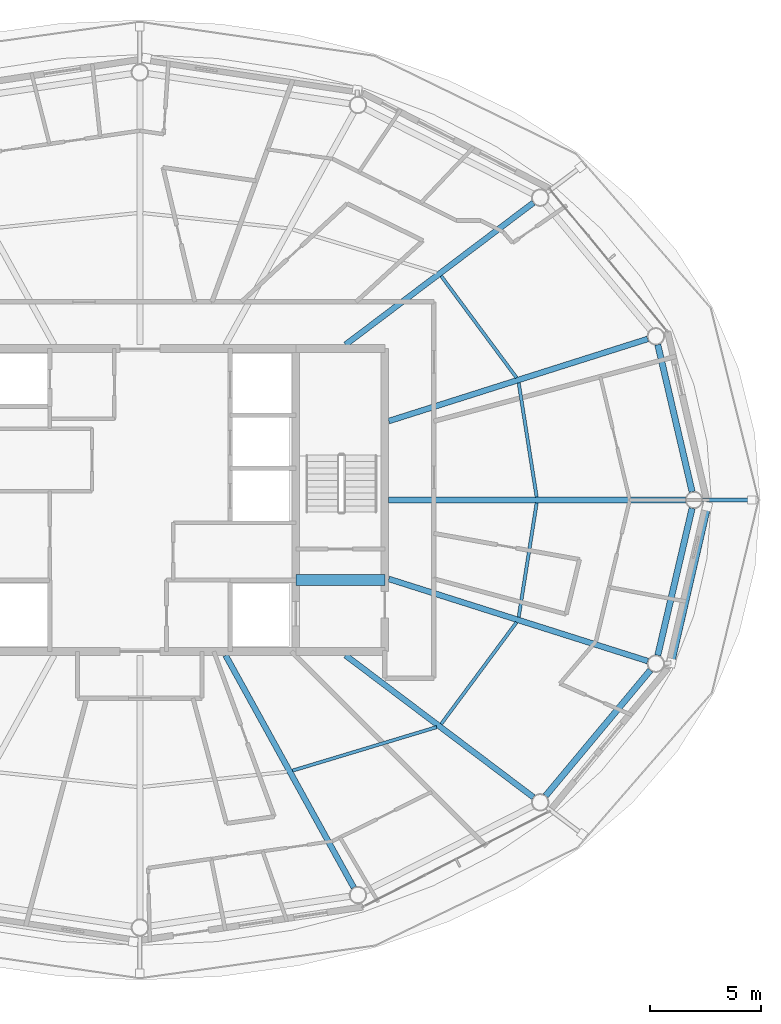
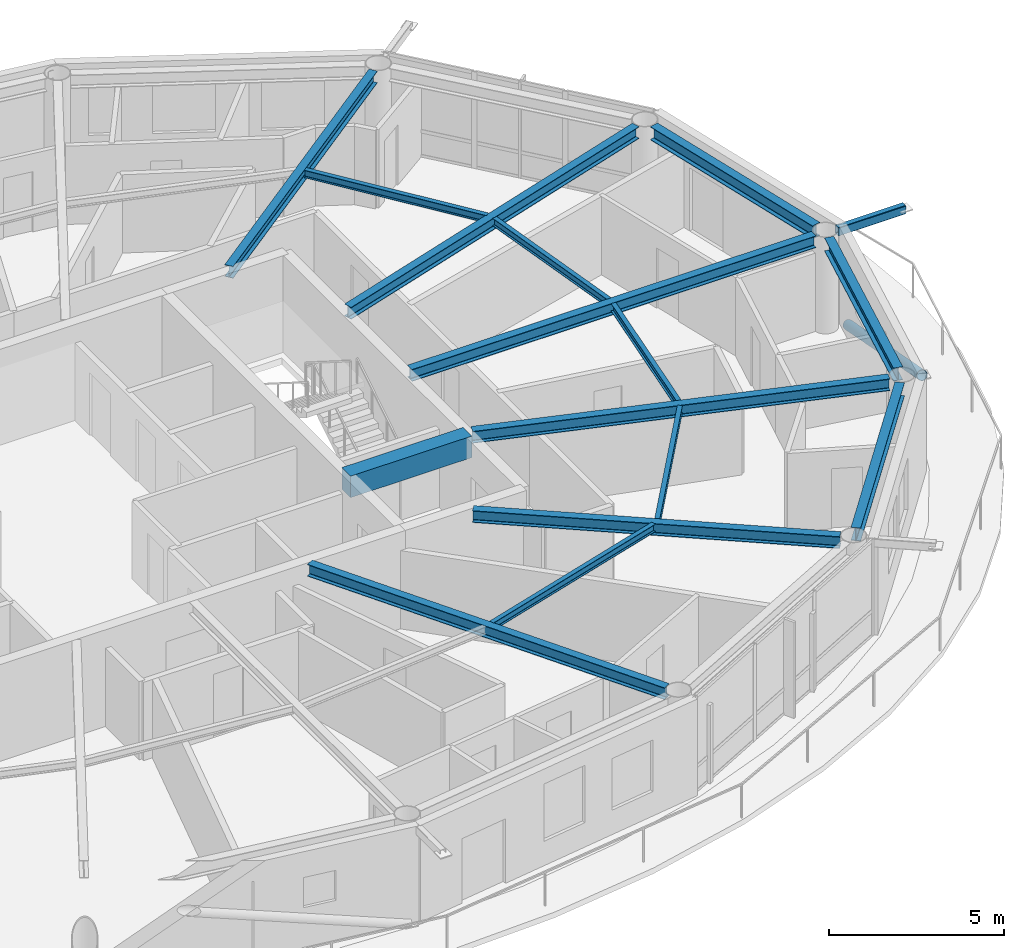
# One storey, part 6 of 23: 15 beams, 2 members.
"""IFC4 building model written with IfcOpenShell, lengths in metres."""

import ifcopenshell
import ifcopenshell.guid

model = None  # the IFC model being written
_history = None  # IfcOwnerHistory: only IFC2X3 demands one
_inside = {}  # id of a spatial element -> (the spatial element, [elements in it])
_under = {}  # id of a project, library or spatial element -> (it, [spatial elements below it])
_declared = {}  # id of a project -> (the project, [libraries it declares])
_typed = {}  # id of a type object -> (the type object, [elements of that type])
_made_of = {}  # id of a material, layer set ... -> (it, [elements and type objects made of it])


def new_model(schema):
    """Start an empty IFC model of exactly this schema.

    Asked for "IFC4X3", IfcOpenShell would pick the latest addendum, in which some entities
    have other attributes; the version numbers below select the first issue.
    IFC2X3 requires an IfcOwnerHistory on every rooted entity: one is made here for all.
    """
    global model, _history
    if schema == "IFC4X3":
        model = ifcopenshell.file(schema_version=(4, 3, 0, 0))
    else:
        model = ifcopenshell.file(schema=schema)
    _inside.clear()
    _under.clear()
    _declared.clear()
    _typed.clear()
    _made_of.clear()
    _history = None
    if model.schema == "IFC2X3":
        org = make("IfcOrganization", Name="unknown")
        user = make(
            "IfcPersonAndOrganization",
            ThePerson=make("IfcPerson", FamilyName="unknown"),
            TheOrganization=org,
        )
        app = make(
            "IfcApplication",
            ApplicationDeveloper=org,
            Version="unknown",
            ApplicationFullName="unknown",
            ApplicationIdentifier="unknown",
        )
        _history = make(
            "IfcOwnerHistory",
            OwningUser=user,
            OwningApplication=app,
            ChangeAction="ADDED",
            CreationDate=0,
        )
    return model


def make(cls, **values):
    """One entity of the class cls with the attributes given. An attribute that is None is left unset."""
    return model.create_entity(
        cls, **{name: value for name, value in values.items() if value is not None}
    )


def rooted(cls, **values):
    """An entity with a GlobalId (a new one), such as an element, a storey or a relation."""
    return make(cls, GlobalId=ifcopenshell.guid.new(), OwnerHistory=_history, **values)


def si_unit(unit_type, name, prefix=None):
    """IfcSIUnit, for example si_unit("LENGTHUNIT", "METRE", prefix="MILLI")."""
    return make("IfcSIUnit", UnitType=unit_type, Prefix=prefix, Name=name)


def assignment(units):
    """IfcUnitAssignment: the units of a project."""
    return None if units is None else make("IfcUnitAssignment", Units=units)


def point(xyz):
    """IfcCartesianPoint."""
    return None if xyz is None else make("IfcCartesianPoint", Coordinates=xyz)


def direction(xyz):
    """IfcDirection."""
    return None if xyz is None else make("IfcDirection", DirectionRatios=xyz)


def frame(location, z_axis=None, x_axis=None):
    """IfcAxis2Placement3D, a coordinate frame: its origin and axes. An axis left out is left unset."""
    return make(
        "IfcAxis2Placement3D",
        Location=point(location),
        Axis=direction(z_axis),
        RefDirection=direction(x_axis),
    )


def frame_2d(location, x_axis=None):
    """IfcAxis2Placement2D, a coordinate frame in the plane: its origin and x axis."""
    return make(
        "IfcAxis2Placement2D", Location=point(location), RefDirection=direction(x_axis)
    )


def origin():
    """The frame at (0, 0, 0) with its axes left unset."""
    return frame((0.0, 0.0, 0.0))


def origin_2d():
    """The frame at (0, 0) in the plane with its x axis left unset."""
    return frame_2d((0.0, 0.0))


def place(relative_to, where):
    """IfcLocalPlacement: puts the frame where relative to a parent placement (None: the world)."""
    return make(
        "IfcLocalPlacement", PlacementRelTo=relative_to, RelativePlacement=where
    )


def context(
    kind, dimensions, precision=None, world=None, true_north=None, identifier=None
):
    """IfcGeometricRepresentationContext, for example the 3D "Model" context."""
    return make(
        "IfcGeometricRepresentationContext",
        ContextIdentifier=identifier,
        ContextType=kind,
        CoordinateSpaceDimension=dimensions,
        Precision=precision,
        WorldCoordinateSystem=world,
        TrueNorth=true_north,
    )


def subcontext(parent, identifier, kind, view, scale=None):
    """IfcGeometricRepresentationSubContext, for example "Body" below "Model"."""
    return make(
        "IfcGeometricRepresentationSubContext",
        ContextIdentifier=identifier,
        ContextType=kind,
        ParentContext=parent,
        TargetScale=scale,
        TargetView=view,
    )


def project(units=None, contexts=None):
    """IfcProject with its units and contexts."""
    return rooted(
        "IfcProject",
        Name="project",
        RepresentationContexts=contexts,
        UnitsInContext=assignment(units),
    )


def spatial(cls, under=None, at=None, **own):
    """A site, building, storey or space (cls), placed at a placement, below another one or the project."""
    s = rooted(cls, ObjectPlacement=at, **own)
    if under is not None:
        _under.setdefault(under.id(), (under, []))[1].append(s)
    return s


def profile(cls, at=None, kind="AREA", **sizes):
    """A parametric profile (cls). Its sizes go by their IFC names, for example OverallWidth=200.0."""
    return make(cls, ProfileType=kind, Position=at, **sizes)


def rectangle(**sizes):
    """IfcRectangleProfileDef."""
    return profile("IfcRectangleProfileDef", **sizes)


def hollow_rectangle(**sizes):
    """IfcRectangleHollowProfileDef."""
    return profile("IfcRectangleHollowProfileDef", **sizes)


def hollow_circle(**sizes):
    """IfcCircleHollowProfileDef."""
    return profile("IfcCircleHollowProfileDef", **sizes)


def i_section(**sizes):
    """IfcIShapeProfileDef."""
    return profile("IfcIShapeProfileDef", **sizes)


def extrude(swept, where, along, depth):
    """IfcExtrudedAreaSolid: the profile swept, set in the frame where, extruded along a direction by depth."""
    return make(
        "IfcExtrudedAreaSolid",
        SweptArea=swept,
        Position=where,
        ExtrudedDirection=direction(along),
        Depth=depth,
    )


def shape(context_of_items, identifier, shape_type, items):
    """IfcShapeRepresentation: the items that make up one representation, for example the "Body"."""
    return make(
        "IfcShapeRepresentation",
        ContextOfItems=context_of_items,
        RepresentationIdentifier=identifier,
        RepresentationType=shape_type,
        Items=items,
    )


def material(Name=None, Category=None):
    """IfcMaterial."""
    return make("IfcMaterial", Name=Name, Category=Category)


def material_profile(
    of_material, cross_section, Name=None, Category=None, Priority=None
):
    """IfcMaterialProfile: a cross section and its material."""
    return make(
        "IfcMaterialProfile",
        Name=Name,
        Material=of_material,
        Profile=cross_section,
        Priority=Priority,
        Category=Category,
    )


def profile_set(profiles, Name=None, composite=None):
    """IfcMaterialProfileSet."""
    return make(
        "IfcMaterialProfileSet",
        Name=Name,
        MaterialProfiles=profiles,
        CompositeProfile=composite,
    )


def made_of(thing, what):
    """Note that an element or type object is made of a material, layer set ...; save() writes the relation."""
    if what is not None:
        _made_of.setdefault(what.id(), (what, []))[1].append(thing)
    return thing


def type_object(cls, material=None, **own):
    """A type object (cls), such as IfcWallType, which elements share."""
    return made_of(rooted(cls, **own), material)


def element(
    cls,
    number,
    at=None,
    inside=None,
    cuts=None,
    type_object=None,
    material=None,
    context=None,
    identifier="Body",
    shape_type=None,
    held_by="IfcProductDefinitionShape",
    body=None,
    shapes=None,
    **own,
):
    """One element of the class cls, such as IfcWall. Its Tag is "e" and its number.

    at: its placement. inside: the storey or other place that contains it. cuts: it is an
    opening in that element (IfcRelVoidsElement). A single representation is given by context,
    identifier, shape_type and body (its items); several are given by shapes. held_by: the class
    of the entity that holds the representations. save() writes the other relations.
    """
    e = rooted(cls, Tag="e%d" % number, ObjectPlacement=at, **own)
    if body is not None:
        shapes = [shape(context, identifier, shape_type, body)]
    if shapes is not None:
        e.Representation = make(held_by, Representations=shapes)
    if inside is not None:
        _inside.setdefault(inside.id(), (inside, []))[1].append(e)
    if cuts is not None:
        rooted(
            "IfcRelVoidsElement", RelatingBuildingElement=cuts, RelatedOpeningElement=e
        )
    if type_object is not None:
        _typed.setdefault(type_object.id(), (type_object, []))[1].append(e)
    return made_of(e, material)


def aggregate(whole, parts):
    """IfcRelAggregates: a whole, such as a stair, and the parts it consists of."""
    return rooted("IfcRelAggregates", RelatingObject=whole, RelatedObjects=parts)


def save(model, path):
    """Write the relations noted so far, then the file.

    IfcRelAggregates (storeys below a building ...), IfcRelContainedInSpatialStructure (elements
    in a storey), IfcRelDefinesByType, IfcRelAssociatesMaterial and IfcRelDeclares: one each for
    every whole, place, type object, material and project.
    """
    for whole, parts in _under.values():
        aggregate(whole, parts)
    for where, things in _inside.values():
        rooted(
            "IfcRelContainedInSpatialStructure",
            RelatedElements=things,
            RelatingStructure=where,
        )
    for kind, things in _typed.values():
        rooted("IfcRelDefinesByType", RelatedObjects=things, RelatingType=kind)
    for what, things in _made_of.values():
        rooted("IfcRelAssociatesMaterial", RelatedObjects=things, RelatingMaterial=what)
    for by, libraries in _declared.values():
        rooted("IfcRelDeclares", RelatingContext=by, RelatedDefinitions=libraries)
    model.write(path)


model = new_model("IFC4")

# Units and contexts
model_context = context("Model", 3, precision=1e-05, world=origin(), true_north=direction((0.0, 1.0)))
body_context = subcontext(model_context, "Body", "Model", "MODEL_VIEW")
ifc_project = project(units=[si_unit("LENGTHUNIT", "METRE"), si_unit("AREAUNIT", "SQUARE_METRE"), si_unit("VOLUMEUNIT", "CUBIC_METRE"), si_unit("PLANEANGLEUNIT", "RADIAN"), si_unit("MASSUNIT", "GRAM", prefix="KILO")], contexts=[model_context])

# Site, building, storey
site_placement = place(None, origin())
site = spatial("IfcSite", under=ifc_project, at=site_placement, CompositionType="ELEMENT")
building_placement = place(site_placement, origin())
building = spatial("IfcBuilding", under=site, at=building_placement, Name="Sarneth Arch Tower", CompositionType="ELEMENT")
storey_placement = place(building_placement, frame((0.0, 0.0, 269.39990234375)))
storey = spatial("IfcBuildingStorey", under=building, at=storey_placement, Name="L69", CompositionType="ELEMENT", Elevation=269.39990234375)

# Beams
ifc_material_1 = material(Name="Steel S355", Category="steel")
ifc_material_profile_1 = material_profile(ifc_material_1, i_section(OverallWidth=0.14794921875, OverallDepth=0.26611328125, WebThickness=0.007568359375, FlangeThickness=0.012939453125, FilletRadius=0.012939453125, at=origin_2d()), Name="W250x44.8")
ifc_profile_set_1 = profile_set([ifc_material_profile_1], Name="Steel S355")
beam_type_1 = type_object("IfcBeamType", Name="BM-JOIST-250", PredefinedType="JOIST", material=ifc_profile_set_1)
beam_1_placement = place(storey_placement, frame((65.818359375, 42.12841796875, 3.237060546875), z_axis=(-0.155520890899, 0.987832603478, 0.0), x_axis=(-0.987832603478, -0.155520890899, 0.0)))
element("IfcBeam", 1, at=beam_1_placement, inside=storey, type_object=beam_type_1, Name="L69 Secondary floor joist 01", PredefinedType="JOIST", context=body_context, shape_type="SweptSolid", body=[
    extrude(i_section(OverallWidth=0.14794921875, OverallDepth=0.26611328125, WebThickness=0.007568359375, FlangeThickness=0.012939453125, FilletRadius=0.012939453125, at=origin_2d()), origin(), (0.0, 0.0, 1.0), 5.194580078125),
])
beam_2_placement = place(storey_placement, frame((64.912841796875, 47.49267578125, 3.237060546875), z_axis=(-0.595431044136, 0.803406417499, 0.0), x_axis=(-0.803406417499, -0.595431044136, 0.0)))
element("IfcBeam", 2, at=beam_2_placement, inside=storey, type_object=beam_type_1, Name="L69 Secondary floor joist 02", PredefinedType="JOIST", context=body_context, shape_type="SweptSolid", body=[
    extrude(i_section(OverallWidth=0.14794921875, OverallDepth=0.26611328125, WebThickness=0.007568359375, FlangeThickness=0.012939453125, FilletRadius=0.012939453125, at=origin_2d()), origin(), (0.0, 0.0, 1.0), 5.680419921875),
])
beam_3_placement = place(storey_placement, frame((54.852783203125, 29.84765625, 3.237060546875), z_axis=(0.957373106971, 0.288854174367, 0.0), x_axis=(-0.288854174367, 0.957373106971, 0.0)))
element("IfcBeam", 3, at=beam_3_placement, inside=storey, type_object=beam_type_1, Name="L69 Secondary floor joist 14", PredefinedType="JOIST", context=body_context, shape_type="SweptSolid", body=[
    extrude(i_section(OverallWidth=0.14794921875, OverallDepth=0.26611328125, WebThickness=0.007568359375, FlangeThickness=0.012939453125, FilletRadius=0.012939453125, at=origin_2d()), origin(), (0.0, 0.0, 1.0), 6.76416015625),
])
beam_4_placement = place(storey_placement, frame((61.530517578125, 31.943603515625, 3.237060546875), z_axis=(0.595431044136, 0.803406417499, 0.0), x_axis=(-0.803406417499, 0.595431044136, 0.0)))
element("IfcBeam", 4, at=beam_4_placement, inside=storey, type_object=beam_type_1, Name="L69 Secondary floor joist 15", PredefinedType="JOIST", context=body_context, shape_type="SweptSolid", body=[
    extrude(i_section(OverallWidth=0.14794921875, OverallDepth=0.26611328125, WebThickness=0.007568359375, FlangeThickness=0.012939453125, FilletRadius=0.012939453125, at=origin_2d()), origin(), (0.0, 0.0, 1.0), 5.680419921875),
])
beam_5_placement = place(storey_placement, frame((65.010498046875, 36.740234375, 3.237060546875), z_axis=(0.155520890899, 0.987832603478, 0.0), x_axis=(-0.987832603478, 0.155520890899, 0.0)))
element("IfcBeam", 5, at=beam_5_placement, inside=storey, type_object=beam_type_1, Name="L69 Secondary floor joist 16", PredefinedType="JOIST", context=body_context, shape_type="SweptSolid", body=[
    extrude(i_section(OverallWidth=0.14794921875, OverallDepth=0.26611328125, WebThickness=0.007568359375, FlangeThickness=0.012939453125, FilletRadius=0.012939453125, at=origin_2d()), origin(), (0.0, 0.0, 1.0), 5.194580078125),
])
ifc_material_2 = material(Name="Concrete C50/60", Category="concrete")
ifc_material_profile_2 = material_profile(ifc_material_2, rectangle(XDim=0.5, YDim=0.75, at=origin_2d()), Name="RC-500x750")
ifc_profile_set_2 = profile_set([ifc_material_profile_2], Name="Concrete C50/60")
beam_type_2 = type_object("IfcBeamType", Name="BM-LINTEL-RC", PredefinedType="LINTEL", material=ifc_profile_set_2)
beam_6_placement = place(storey_placement, frame((55.0, 38.39990234375, 2.9951171875), z_axis=(1.0, 0.0, 0.0), x_axis=(0.0, 1.0, 0.0)))
element("IfcBeam", 6, at=beam_6_placement, inside=storey, type_object=beam_type_2, Name="L69 Core coupling lintel E", PredefinedType="LINTEL", context=body_context, shape_type="SweptSolid", body=[
    extrude(rectangle(XDim=0.5, YDim=0.75, at=origin_2d()), origin(), (0.0, 0.0, 1.0), 4.0),
])
ifc_material_3 = material(Name="Steel S355", Category="steel")
ifc_material_profile_3 = material_profile(ifc_material_3, i_section(OverallWidth=0.260009765625, OverallDepth=0.4150390625, WebThickness=0.010009765625, FlangeThickness=0.016845703125, FilletRadius=0.01611328125, at=origin_2d()), Name="W410x100")
ifc_profile_set_3 = profile_set([ifc_material_profile_3], Name="Steel S355")
beam_type_3 = type_object("IfcBeamType", Name="BM-RAD-410A", PredefinedType="BEAM", material=ifc_profile_set_3)
beam_7_placement = place(storey_placement, frame((59.175048828125, 42.0, 3.16259765625), z_axis=(1.0, 0.0, 0.0), x_axis=(0.0, 1.0, 0.0)))
element("IfcBeam", 7, at=beam_7_placement, inside=storey, type_object=beam_type_3, Name="L69 Radial floor girder 01", PredefinedType="BEAM", context=body_context, shape_type="SweptSolid", body=[
    extrude(i_section(OverallWidth=0.260009765625, OverallDepth=0.4150390625, WebThickness=0.010009765625, FlangeThickness=0.016845703125, FilletRadius=0.01611328125, at=origin_2d()), origin(), (0.0, 0.0, 1.0), 13.3271484375),
])
beam_8_placement = place(storey_placement, frame((59.175048828125, 45.5439453125, 3.16259765625), z_axis=(0.953213623044, 0.302297517096, 0.0), x_axis=(-0.302297517096, 0.953213623044, 0.0)))
element("IfcBeam", 8, at=beam_8_placement, inside=storey, type_object=beam_type_3, Name="L69 Radial floor girder 02", PredefinedType="BEAM", context=body_context, shape_type="SweptSolid", body=[
    extrude(i_section(OverallWidth=0.260009765625, OverallDepth=0.4150390625, WebThickness=0.010009765625, FlangeThickness=0.016845703125, FilletRadius=0.01611328125, at=origin_2d()), origin(), (0.0, 0.0, 1.0), 12.201416015625),
])
beam_9_placement = place(storey_placement, frame((57.23486328125, 48.97509765625, 3.16259765625), z_axis=(0.797969745164, 0.602697507713, 0.0), x_axis=(-0.602697507713, 0.797969745164, 0.0)))
element("IfcBeam", 9, at=beam_9_placement, inside=storey, type_object=beam_type_3, Name="L69 Radial floor girder 03", PredefinedType="BEAM", context=body_context, shape_type="SweptSolid", body=[
    extrude(i_section(OverallWidth=0.260009765625, OverallDepth=0.4150390625, WebThickness=0.010009765625, FlangeThickness=0.016845703125, FilletRadius=0.01611328125, at=origin_2d()), origin(), (0.0, 0.0, 1.0), 10.572265625),
])
beam_10_placement = place(storey_placement, frame((51.849853515625, 35.02490234375, 3.16259765625), z_axis=(0.483231193732, -0.875492783182, 0.0), x_axis=(0.875492783182, 0.483231193732, 0.0)))
element("IfcBeam", 10, at=beam_10_placement, inside=storey, type_object=beam_type_3, Name="L69 Radial floor girder 14", PredefinedType="BEAM", context=body_context, shape_type="SweptSolid", body=[
    extrude(i_section(OverallWidth=0.260009765625, OverallDepth=0.4150390625, WebThickness=0.010009765625, FlangeThickness=0.016845703125, FilletRadius=0.01611328125, at=origin_2d()), origin(), (0.0, 0.0, 1.0), 11.913330078125),
])
beam_11_placement = place(storey_placement, frame((57.23486328125, 35.02490234375, 3.16259765625), z_axis=(0.797969745164, -0.602697507713, 0.0), x_axis=(0.602697507713, 0.797969745164, 0.0)))
element("IfcBeam", 11, at=beam_11_placement, inside=storey, type_object=beam_type_3, Name="L69 Radial floor girder 15", PredefinedType="BEAM", context=body_context, shape_type="SweptSolid", body=[
    extrude(i_section(OverallWidth=0.260009765625, OverallDepth=0.4150390625, WebThickness=0.010009765625, FlangeThickness=0.016845703125, FilletRadius=0.01611328125, at=origin_2d()), origin(), (0.0, 0.0, 1.0), 10.572265625),
])
beam_12_placement = place(storey_placement, frame((59.175048828125, 38.4560546875, 3.16259765625), z_axis=(0.953213623044, -0.302297517096, 0.0), x_axis=(0.302297517096, 0.953213623044, 0.0)))
element("IfcBeam", 12, at=beam_12_placement, inside=storey, type_object=beam_type_3, Name="L69 Radial floor girder 16", PredefinedType="BEAM", context=body_context, shape_type="SweptSolid", body=[
    extrude(i_section(OverallWidth=0.260009765625, OverallDepth=0.4150390625, WebThickness=0.010009765625, FlangeThickness=0.016845703125, FilletRadius=0.01611328125, at=origin_2d()), origin(), (0.0, 0.0, 1.0), 12.201416015625),
])
ifc_material_4 = material(Name="Steel S355", Category="steel")
ifc_material_profile_4 = material_profile(ifc_material_4, i_section(OverallWidth=0.280029296875, OverallDepth=0.462890625, WebThickness=0.0107421875, FlangeThickness=0.017333984375, FilletRadius=0.01806640625, at=origin_2d()), Name="W460x113")
ifc_profile_set_4 = profile_set([ifc_material_profile_4], Name="Steel S355")
beam_type_4 = type_object("IfcBeamType", Name="BM-RAD-460A", PredefinedType="BEAM", material=ifc_profile_set_4)
beam_13_placement = place(storey_placement, frame((72.796630859375, 42.37109375, 3.138671875), z_axis=(-0.227227339933, 0.973841740729, 0.0), x_axis=(-0.973841740729, -0.227227339933, 0.0)))
element("IfcBeam", 13, at=beam_13_placement, inside=storey, type_object=beam_type_4, Name="L69 Perimeter spandrel beam 01", PredefinedType="BEAM", context=body_context, shape_type="SweptSolid", body=[
    extrude(i_section(OverallWidth=0.280029296875, OverallDepth=0.462890625, WebThickness=0.0107421875, FlangeThickness=0.017333984375, FilletRadius=0.01806640625, at=origin_2d()), origin(), (0.0, 0.0, 1.0), 6.782958984375),
])
beam_14_placement = place(storey_placement, frame((66.21923828125, 28.716064453125, 3.138671875), z_axis=(0.640377192996, 0.768060577487, 0.0), x_axis=(-0.768060577487, 0.640377192996, 0.0)))
element("IfcBeam", 14, at=beam_14_placement, inside=storey, type_object=beam_type_4, Name="L69 Perimeter spandrel beam 15", PredefinedType="BEAM", context=body_context, shape_type="SweptSolid", body=[
    extrude(i_section(OverallWidth=0.280029296875, OverallDepth=0.462890625, WebThickness=0.0107421875, FlangeThickness=0.017333984375, FilletRadius=0.01806640625, at=origin_2d()), origin(), (0.0, 0.0, 1.0), 7.34814453125),
])
beam_15_placement = place(storey_placement, frame((71.25537109375, 35.0234375, 3.138671875), z_axis=(0.227227339933, 0.973841740729, 0.0), x_axis=(-0.973841740729, 0.227227339933, 0.0)))
element("IfcBeam", 15, at=beam_15_placement, inside=storey, type_object=beam_type_4, Name="L69 Perimeter spandrel beam 16", PredefinedType="BEAM", context=body_context, shape_type="SweptSolid", body=[
    extrude(i_section(OverallWidth=0.280029296875, OverallDepth=0.462890625, WebThickness=0.0107421875, FlangeThickness=0.017333984375, FilletRadius=0.01806640625, at=origin_2d()), origin(), (0.0, 0.0, 1.0), 6.782958984375),
])

# Members
ifc_material_5 = material(Name="Steel S355", Category="steel")
ifc_material_profile_5 = material_profile(ifc_material_5, hollow_rectangle(XDim=0.199951171875, YDim=0.300048828125, WallThickness=0.012451171875, InnerFilletRadius=0.018798828125, OuterFilletRadius=0.03125, at=origin_2d()), Name="RHS300x200x12.5")
ifc_profile_set_5 = profile_set([ifc_material_profile_5], Name="Steel S355")
member_type_1 = type_object("IfcMemberType", Name="MEM-CANT-STRUT", PredefinedType="STRUT", material=ifc_profile_set_5)
member_1_placement = place(storey_placement, frame((73.26416015625, 42.0, 3.210205078125), z_axis=(1.0, 0.0, 0.0), x_axis=(0.0, 1.0, 0.0)))
element("IfcMember", 16, at=member_1_placement, inside=storey, type_object=member_type_1, Name="L69 Balcony cantilever bracket 01", PredefinedType="STRUT", context=body_context, shape_type="SweptSolid", body=[
    extrude(hollow_rectangle(XDim=0.199951171875, YDim=0.300048828125, WallThickness=0.012451171875, InnerFilletRadius=0.018798828125, OuterFilletRadius=0.03125, at=origin_2d()), origin(), (0.0, 0.0, 1.0), 2.21484375),
])
ifc_material_6 = material(Name="Steel S355", Category="steel")
ifc_material_profile_6 = material_profile(ifc_material_6, hollow_circle(Radius=0.162109375, WallThickness=0.012451171875, at=origin_2d()), Name="CHS324x12.5")
ifc_profile_set_6 = profile_set([ifc_material_profile_6], Name="Steel S355")
member_type_2 = type_object("IfcMemberType", Name="MEM-DIAG-BR3", PredefinedType="BRACE", material=ifc_profile_set_6)
member_2_placement = place(storey_placement, frame((73.4765625, 41.707763671875, 0.02001953125), z_axis=(-0.207343373373, -0.896265487877, 0.392067469651), x_axis=(0.974268900284, -0.225388797281, 0.0)))
element("IfcMember", 17, at=member_2_placement, inside=storey, type_object=member_type_2, Name="L69 Perimeter frame diagonal 16", PredefinedType="BRACE", context=body_context, shape_type="SweptSolid", body=[
    extrude(hollow_circle(Radius=0.162109375, WallThickness=0.012451171875, at=origin_2d()), origin(), (0.0, 0.0, 1.0), 7.836181640625),
])

save(model, "model.ifc")
